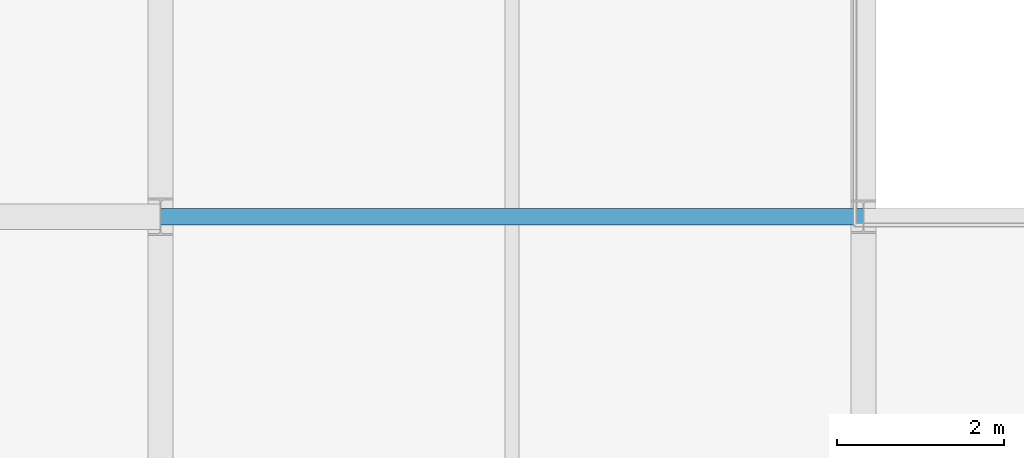
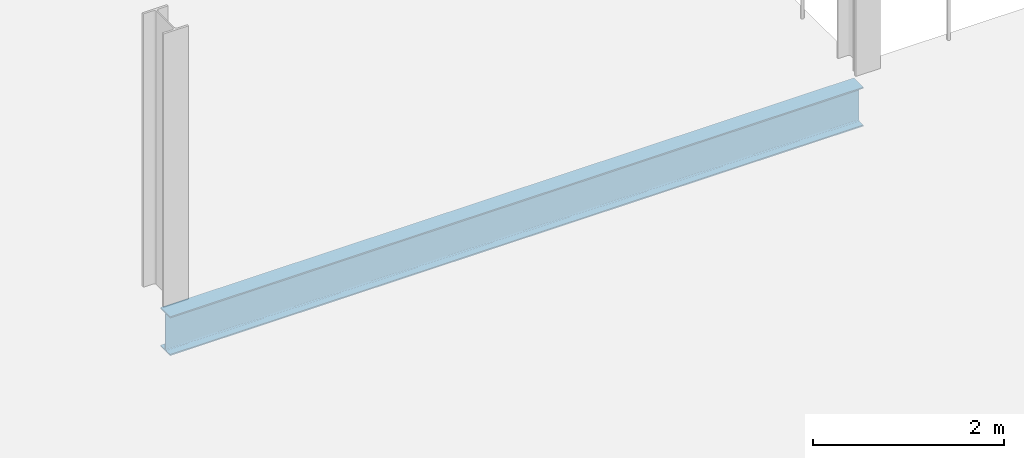
# One storey, part 30 of 103: 1 beam.
"""IFC4 building model written with IfcOpenShell, lengths in metres."""

import ifcopenshell
import ifcopenshell.guid

model = None  # the IFC model being written
_history = None  # IfcOwnerHistory: only IFC2X3 demands one
_inside = {}  # id of a spatial element -> (the spatial element, [elements in it])
_under = {}  # id of a project, library or spatial element -> (it, [spatial elements below it])
_declared = {}  # id of a project -> (the project, [libraries it declares])
_typed = {}  # id of a type object -> (the type object, [elements of that type])
_made_of = {}  # id of a material, layer set ... -> (it, [elements and type objects made of it])


def new_model(schema):
    """Start an empty IFC model of exactly this schema.

    Asked for "IFC4X3", IfcOpenShell would pick the latest addendum, in which some entities
    have other attributes; the version numbers below select the first issue.
    IFC2X3 requires an IfcOwnerHistory on every rooted entity: one is made here for all.
    """
    global model, _history
    if schema == "IFC4X3":
        model = ifcopenshell.file(schema_version=(4, 3, 0, 0))
    else:
        model = ifcopenshell.file(schema=schema)
    _inside.clear()
    _under.clear()
    _declared.clear()
    _typed.clear()
    _made_of.clear()
    _history = None
    if model.schema == "IFC2X3":
        org = make("IfcOrganization", Name="unknown")
        user = make(
            "IfcPersonAndOrganization",
            ThePerson=make("IfcPerson", FamilyName="unknown"),
            TheOrganization=org,
        )
        app = make(
            "IfcApplication",
            ApplicationDeveloper=org,
            Version="unknown",
            ApplicationFullName="unknown",
            ApplicationIdentifier="unknown",
        )
        _history = make(
            "IfcOwnerHistory",
            OwningUser=user,
            OwningApplication=app,
            ChangeAction="ADDED",
            CreationDate=0,
        )
    return model


def make(cls, **values):
    """One entity of the class cls with the attributes given. An attribute that is None is left unset."""
    return model.create_entity(
        cls, **{name: value for name, value in values.items() if value is not None}
    )


def rooted(cls, **values):
    """An entity with a GlobalId (a new one), such as an element, a storey or a relation."""
    return make(cls, GlobalId=ifcopenshell.guid.new(), OwnerHistory=_history, **values)


def si_unit(unit_type, name, prefix=None):
    """IfcSIUnit, for example si_unit("LENGTHUNIT", "METRE", prefix="MILLI")."""
    return make("IfcSIUnit", UnitType=unit_type, Prefix=prefix, Name=name)


def assignment(units):
    """IfcUnitAssignment: the units of a project."""
    return None if units is None else make("IfcUnitAssignment", Units=units)


def point(xyz):
    """IfcCartesianPoint."""
    return None if xyz is None else make("IfcCartesianPoint", Coordinates=xyz)


def direction(xyz):
    """IfcDirection."""
    return None if xyz is None else make("IfcDirection", DirectionRatios=xyz)


def frame(location, z_axis=None, x_axis=None):
    """IfcAxis2Placement3D, a coordinate frame: its origin and axes. An axis left out is left unset."""
    return make(
        "IfcAxis2Placement3D",
        Location=point(location),
        Axis=direction(z_axis),
        RefDirection=direction(x_axis),
    )


def frame_2d(location, x_axis=None):
    """IfcAxis2Placement2D, a coordinate frame in the plane: its origin and x axis."""
    return make(
        "IfcAxis2Placement2D", Location=point(location), RefDirection=direction(x_axis)
    )


def origin():
    """The frame at (0, 0, 0) with its axes left unset."""
    return frame((0.0, 0.0, 0.0))


def origin_2d():
    """The frame at (0, 0) in the plane with its x axis left unset."""
    return frame_2d((0.0, 0.0))


def place(relative_to, where):
    """IfcLocalPlacement: puts the frame where relative to a parent placement (None: the world)."""
    return make(
        "IfcLocalPlacement", PlacementRelTo=relative_to, RelativePlacement=where
    )


def context(
    kind, dimensions, precision=None, world=None, true_north=None, identifier=None
):
    """IfcGeometricRepresentationContext, for example the 3D "Model" context."""
    return make(
        "IfcGeometricRepresentationContext",
        ContextIdentifier=identifier,
        ContextType=kind,
        CoordinateSpaceDimension=dimensions,
        Precision=precision,
        WorldCoordinateSystem=world,
        TrueNorth=true_north,
    )


def subcontext(parent, identifier, kind, view, scale=None):
    """IfcGeometricRepresentationSubContext, for example "Body" below "Model"."""
    return make(
        "IfcGeometricRepresentationSubContext",
        ContextIdentifier=identifier,
        ContextType=kind,
        ParentContext=parent,
        TargetScale=scale,
        TargetView=view,
    )


def project(units=None, contexts=None):
    """IfcProject with its units and contexts."""
    return rooted(
        "IfcProject",
        Name="project",
        RepresentationContexts=contexts,
        UnitsInContext=assignment(units),
    )


def spatial(cls, under=None, at=None, **own):
    """A site, building, storey or space (cls), placed at a placement, below another one or the project."""
    s = rooted(cls, ObjectPlacement=at, **own)
    if under is not None:
        _under.setdefault(under.id(), (under, []))[1].append(s)
    return s


def profile(cls, at=None, kind="AREA", **sizes):
    """A parametric profile (cls). Its sizes go by their IFC names, for example OverallWidth=200.0."""
    return make(cls, ProfileType=kind, Position=at, **sizes)


def i_section(**sizes):
    """IfcIShapeProfileDef."""
    return profile("IfcIShapeProfileDef", **sizes)


def extrude(swept, where, along, depth):
    """IfcExtrudedAreaSolid: the profile swept, set in the frame where, extruded along a direction by depth."""
    return make(
        "IfcExtrudedAreaSolid",
        SweptArea=swept,
        Position=where,
        ExtrudedDirection=direction(along),
        Depth=depth,
    )


def shape(context_of_items, identifier, shape_type, items):
    """IfcShapeRepresentation: the items that make up one representation, for example the "Body"."""
    return make(
        "IfcShapeRepresentation",
        ContextOfItems=context_of_items,
        RepresentationIdentifier=identifier,
        RepresentationType=shape_type,
        Items=items,
    )


def material(Name=None, Category=None):
    """IfcMaterial."""
    return make("IfcMaterial", Name=Name, Category=Category)


def material_profile(
    of_material, cross_section, Name=None, Category=None, Priority=None
):
    """IfcMaterialProfile: a cross section and its material."""
    return make(
        "IfcMaterialProfile",
        Name=Name,
        Material=of_material,
        Profile=cross_section,
        Priority=Priority,
        Category=Category,
    )


def profile_set(profiles, Name=None, composite=None):
    """IfcMaterialProfileSet."""
    return make(
        "IfcMaterialProfileSet",
        Name=Name,
        MaterialProfiles=profiles,
        CompositeProfile=composite,
    )


def made_of(thing, what):
    """Note that an element or type object is made of a material, layer set ...; save() writes the relation."""
    if what is not None:
        _made_of.setdefault(what.id(), (what, []))[1].append(thing)
    return thing


def type_object(cls, material=None, **own):
    """A type object (cls), such as IfcWallType, which elements share."""
    return made_of(rooted(cls, **own), material)


def element(
    cls,
    number,
    at=None,
    inside=None,
    cuts=None,
    type_object=None,
    material=None,
    context=None,
    identifier="Body",
    shape_type=None,
    held_by="IfcProductDefinitionShape",
    body=None,
    shapes=None,
    **own,
):
    """One element of the class cls, such as IfcWall. Its Tag is "e" and its number.

    at: its placement. inside: the storey or other place that contains it. cuts: it is an
    opening in that element (IfcRelVoidsElement). A single representation is given by context,
    identifier, shape_type and body (its items); several are given by shapes. held_by: the class
    of the entity that holds the representations. save() writes the other relations.
    """
    e = rooted(cls, Tag="e%d" % number, ObjectPlacement=at, **own)
    if body is not None:
        shapes = [shape(context, identifier, shape_type, body)]
    if shapes is not None:
        e.Representation = make(held_by, Representations=shapes)
    if inside is not None:
        _inside.setdefault(inside.id(), (inside, []))[1].append(e)
    if cuts is not None:
        rooted(
            "IfcRelVoidsElement", RelatingBuildingElement=cuts, RelatedOpeningElement=e
        )
    if type_object is not None:
        _typed.setdefault(type_object.id(), (type_object, []))[1].append(e)
    return made_of(e, material)


def aggregate(whole, parts):
    """IfcRelAggregates: a whole, such as a stair, and the parts it consists of."""
    return rooted("IfcRelAggregates", RelatingObject=whole, RelatedObjects=parts)


def save(model, path):
    """Write the relations noted so far, then the file.

    IfcRelAggregates (storeys below a building ...), IfcRelContainedInSpatialStructure (elements
    in a storey), IfcRelDefinesByType, IfcRelAssociatesMaterial and IfcRelDeclares: one each for
    every whole, place, type object, material and project.
    """
    for whole, parts in _under.values():
        aggregate(whole, parts)
    for where, things in _inside.values():
        rooted(
            "IfcRelContainedInSpatialStructure",
            RelatedElements=things,
            RelatingStructure=where,
        )
    for kind, things in _typed.values():
        rooted("IfcRelDefinesByType", RelatedObjects=things, RelatingType=kind)
    for what, things in _made_of.values():
        rooted("IfcRelAssociatesMaterial", RelatedObjects=things, RelatingMaterial=what)
    for by, libraries in _declared.values():
        rooted("IfcRelDeclares", RelatingContext=by, RelatedDefinitions=libraries)
    model.write(path)


model = new_model("IFC4")

# Units and contexts
model_context = context("Model", 3, precision=1e-05, world=origin(), true_north=direction((0.0, 1.0)))
body_context = subcontext(model_context, "Body", "Model", "MODEL_VIEW")
ifc_project = project(units=[si_unit("LENGTHUNIT", "METRE"), si_unit("AREAUNIT", "SQUARE_METRE"), si_unit("VOLUMEUNIT", "CUBIC_METRE"), si_unit("PLANEANGLEUNIT", "RADIAN"), si_unit("MASSUNIT", "GRAM", prefix="KILO")], contexts=[model_context])

# Site, building, storey
site_placement = place(None, origin())
site = spatial("IfcSite", under=ifc_project, at=site_placement, CompositionType="ELEMENT")
building_placement = place(site_placement, origin())
building = spatial("IfcBuilding", under=site, at=building_placement, Name="Veltarok Museum of Natural Sciences", CompositionType="ELEMENT")
storey_placement = place(building_placement, frame((0.0, 0.0, 21.89990234375)))
storey = spatial("IfcBuildingStorey", under=building, at=storey_placement, Name="L04", CompositionType="ELEMENT", Elevation=21.89990234375)

# Beam
ifc_material = material(Name="Steel S355J2", Category="steel")
ifc_material_profile = material_profile(ifc_material, i_section(OverallWidth=0.199951171875, OverallDepth=0.5, WebThickness=0.01025390625, FlangeThickness=0.01611328125, FilletRadius=0.02099609375, at=origin_2d()), Name="IPE 500")
ifc_profile_set = profile_set([ifc_material_profile], Name="Steel S355J2")
beam_type = type_object("IfcBeamType", Name="Standard Gallery Girder IPE 500", PredefinedType="BEAM", material=ifc_profile_set)
beam_placement = place(storey_placement, frame((48.39990234375, 48.0, -0.5), z_axis=(1.0, 0.0, 0.0), x_axis=(0.0, 1.0, 0.0)))
element("IfcBeam", 1, at=beam_placement, inside=storey, type_object=beam_type, Name="Beam BM-G04 L04 6-7/F", PredefinedType="BEAM", context=body_context, shape_type="SweptSolid", body=[
    extrude(i_section(OverallWidth=0.199951171875, OverallDepth=0.5, WebThickness=0.01025390625, FlangeThickness=0.01611328125, FilletRadius=0.02099609375, at=origin_2d()), origin(), (0.0, 0.0, 1.0), 8.400146484375),
])

save(model, "model.ifc")
